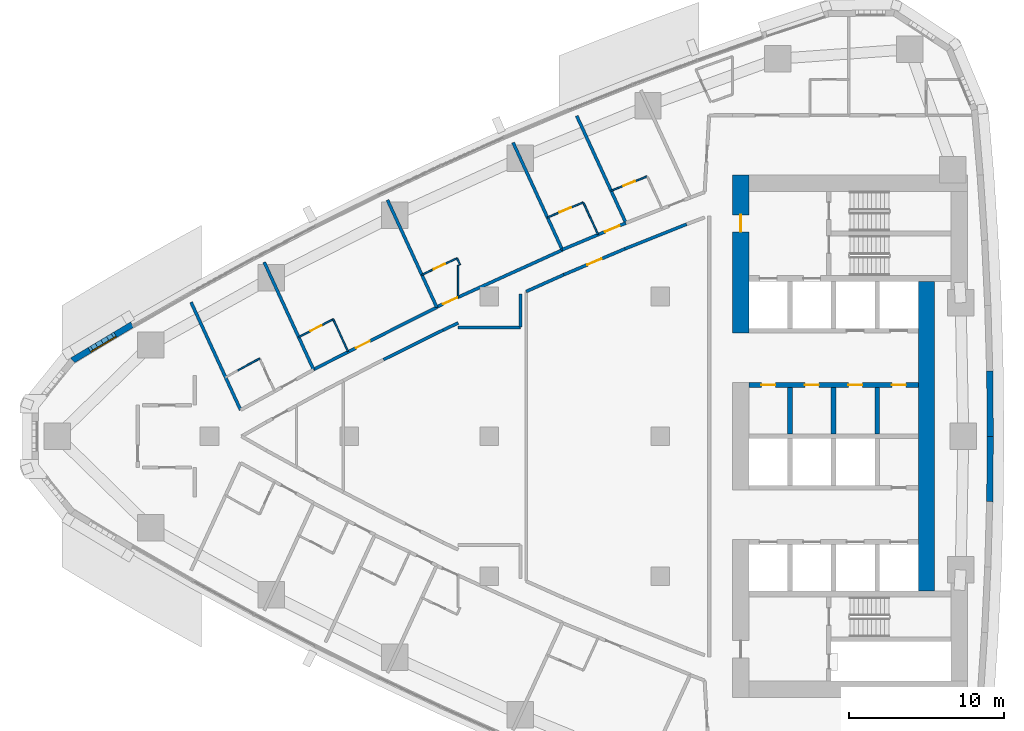
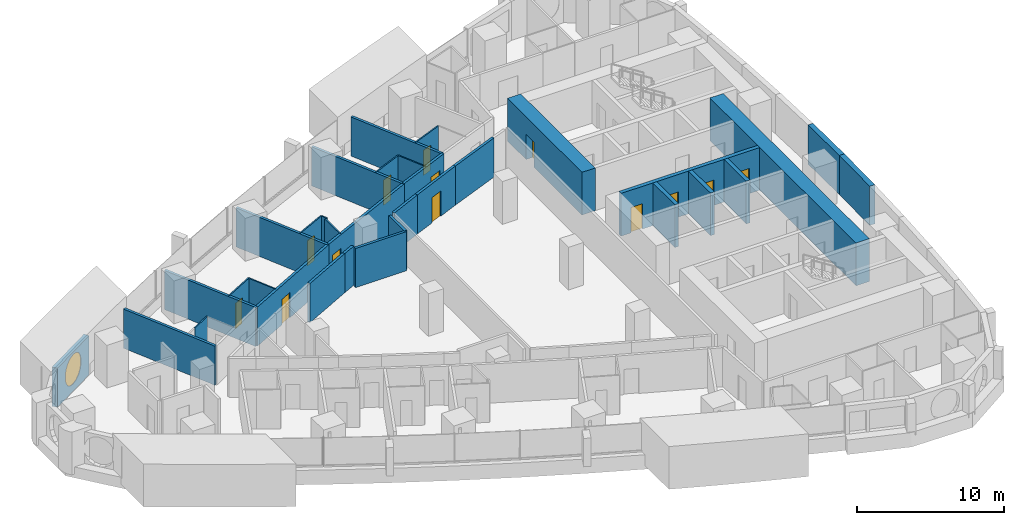
# One storey, part 11 of 17: 33 walls, 13 doors, 1 window, 14 openings.
"""IFC4 building model written with IfcOpenShell, lengths in metres."""

from ifc_helpers import new_model, si_unit, direction, frame, frame_2d, origin, place, context, subcontext, project, spatial, polyline, rectangle, outline, extrude, material, layer, layer_set, type_object, element, fill, save


model = new_model("IFC4")

# Units and contexts
model_context = context("Model", 3, precision=1e-05, world=origin(), true_north=direction((0.0, 1.0)))
body_context = subcontext(model_context, "Body", "Model", "MODEL_VIEW")
ifc_project = project(units=[si_unit("LENGTHUNIT", "METRE"), si_unit("AREAUNIT", "SQUARE_METRE"), si_unit("VOLUMEUNIT", "CUBIC_METRE"), si_unit("PLANEANGLEUNIT", "RADIAN"), si_unit("MASSUNIT", "GRAM", prefix="KILO")], contexts=[model_context])

# Site, building, storey
site_placement = place(None, origin())
site = spatial("IfcSite", under=ifc_project, at=site_placement, CompositionType="ELEMENT")
building_placement = place(site_placement, origin())
building = spatial("IfcBuilding", under=site, at=building_placement, Name="Ostrand Prow Hotel Tower", CompositionType="ELEMENT")
storey_placement = place(building_placement, frame((0.0, 0.0, 95.550048828125)))
storey = spatial("IfcBuildingStorey", under=building, at=storey_placement, Name="L22", CompositionType="ELEMENT", Elevation=95.550048828125)

# Wall, opening, door
ifc_material_1 = material(Name="Concrete C80/95", Category="concrete")
ifc_layer_1 = layer(ifc_material_1, 1.050048828125)
ifc_layer_set_1 = layer_set([ifc_layer_1], Name="Concrete C80/95")
wall_type_1 = type_object("IfcWallType", Name="Core wall 1050 C80/95", PredefinedType="SHEAR", material=ifc_layer_set_1)
wall_1_placement = place(storey_placement, frame((50.175048828125, 6.64990234375, 0.0), z_axis=(0.0, 0.0, 1.0), x_axis=(0.0, 1.0, 0.0)))
wall_1 = element("IfcWall", 1, at=wall_1_placement, inside=storey, type_object=wall_type_1, Name="Core wall CW-W-N", PredefinedType="SHEAR", context=body_context, shape_type="SweptSolid", body=[
    extrude(rectangle(XDim=10.150146484375, YDim=1.050048828125, at=frame_2d((5.0751953125, 0.0))), origin(), (0.0, 0.0, 1.0), 3.550048828125),
])
opening_1_placement = place(wall_1_placement, frame((6.5, 0.0, 0.0)))
opening_1 = element("IfcOpeningElement", 2, at=opening_1_placement, cuts=wall_1, Name="Opening FD1", PredefinedType="OPENING", context=body_context, shape_type="SweptSolid", body=[
    extrude(rectangle(XDim=1.10009765625, YDim=2.10009765625, at=frame_2d((0.550048828125, 1.050048828125))), frame((0.0, 0.534912109375, 0.0), z_axis=(0.0, -1.0, 0.0), x_axis=(1.0, 0.0, 0.0)), (0.0, 0.0, 1.0), 1.070068359375),
])
ifc_material_2 = material(Name="Steel fire door", Category="steel")
door_type_1 = type_object("IfcDoorType", Name="Fire door 1100 EI120", OperationType="SINGLE_SWING_RIGHT", PredefinedType="DOOR", material=ifc_material_2)
door_1_placement = place(opening_1_placement, origin())
door_1 = element("IfcDoor", 3, at=door_1_placement, inside=storey, type_object=door_type_1, Name="FIRE DOOR", OperationType="SINGLE_SWING_RIGHT", OverallHeight=2.10009765625, OverallWidth=1.10009765625, PredefinedType="DOOR", context=body_context, shape_type="SweptSolid", body=[
    extrude(rectangle(XDim=1.10009765625, YDim=2.10009765625, at=frame_2d((0.550048828125, 1.050048828125))), frame((0.0, 0.02490234375, 0.0), z_axis=(0.0, -1.0, 0.0), x_axis=(1.0, 0.0, 0.0)), (0.0, 0.0, 1.0), 0.050048828125),
])
fill(opening_1, door_1)

# Wall
wall_2_placement = place(storey_placement, frame((62.125, -9.949951171875, 0.0), z_axis=(0.0, 0.0, 1.0), x_axis=(0.0, 1.0, 0.0)))
element("IfcWall", 4, at=wall_2_placement, inside=storey, type_object=wall_type_1, Name="Core wall CW-E-C", PredefinedType="SHEAR", context=body_context, shape_type="SweptSolid", body=[
    extrude(rectangle(XDim=19.89990234375, YDim=1.050048828125, at=frame_2d((9.949951171875, 0.0))), origin(), (0.0, 0.0, 1.0), 3.550048828125),
])

# Wall, openings, doors
ifc_material_3 = material(Name="Concrete C80/95", Category="concrete")
ifc_layer_2 = layer(ifc_material_3, 0.300048828125)
ifc_layer_set_2 = layer_set([ifc_layer_2], Name="Concrete C80/95")
wall_type_2 = type_object("IfcWallType", Name="Core wall 300 C80/95", PredefinedType="SHEAR", material=ifc_layer_set_2)
wall_3_placement = place(storey_placement, frame((50.699951171875, 3.300048828125, 0.0), z_axis=(0.0, 0.0, 1.0), x_axis=(1.0, 0.0, 0.0)))
wall_3 = element("IfcWall", 5, at=wall_3_placement, inside=storey, type_object=wall_type_2, Name="Core wall PW-L1-N", PredefinedType="SHEAR", context=body_context, shape_type="SweptSolid", body=[
    extrude(rectangle(XDim=10.900146484375, YDim=0.300048828125, at=frame_2d((5.4501953125, 0.0))), origin(), (0.0, 0.0, 1.0), 3.550048828125),
])
opening_2_placement = place(wall_3_placement, frame((0.800048828125, 0.0, 0.0)))
opening_2 = element("IfcOpeningElement", 6, at=opening_2_placement, cuts=wall_3, Name="Opening FD2", PredefinedType="OPENING", context=body_context, shape_type="SweptSolid", body=[
    extrude(rectangle(XDim=0.89990234375, YDim=2.10009765625, at=frame_2d((0.449951171875, 1.050048828125))), frame((0.0, 0.159912109375, 0.0), z_axis=(0.0, -1.0, 0.0), x_axis=(1.0, 0.0, 0.0)), (0.0, 0.0, 1.0), 0.320068359375),
])
opening_3_placement = place(wall_3_placement, frame((3.60009765625, 0.0, 0.0)))
opening_3 = element("IfcOpeningElement", 7, at=opening_3_placement, cuts=wall_3, Name="Opening FD2", PredefinedType="OPENING", context=body_context, shape_type="SweptSolid", body=[
    extrude(rectangle(XDim=0.89990234375, YDim=2.10009765625, at=frame_2d((0.449951171875, 1.050048828125))), frame((0.0, 0.159912109375, 0.0), z_axis=(0.0, -1.0, 0.0), x_axis=(1.0, 0.0, 0.0)), (0.0, 0.0, 1.0), 0.320068359375),
])
opening_4_placement = place(wall_3_placement, frame((6.39990234375, 0.0, 0.0)))
opening_4 = element("IfcOpeningElement", 8, at=opening_4_placement, cuts=wall_3, Name="Opening FD2", PredefinedType="OPENING", context=body_context, shape_type="SweptSolid", body=[
    extrude(rectangle(XDim=0.89990234375, YDim=2.10009765625, at=frame_2d((0.449951171875, 1.050048828125))), frame((0.0, 0.159912109375, 0.0), z_axis=(0.0, -1.0, 0.0), x_axis=(1.0, 0.0, 0.0)), (0.0, 0.0, 1.0), 0.320068359375),
])
opening_5_placement = place(wall_3_placement, frame((9.199951171875, 0.0, 0.0)))
opening_5 = element("IfcOpeningElement", 9, at=opening_5_placement, cuts=wall_3, Name="Opening FD2", PredefinedType="OPENING", context=body_context, shape_type="SweptSolid", body=[
    extrude(rectangle(XDim=0.89990234375, YDim=2.10009765625, at=frame_2d((0.449951171875, 1.050048828125))), frame((0.0, 0.159912109375, 0.0), z_axis=(0.0, -1.0, 0.0), x_axis=(1.0, 0.0, 0.0)), (0.0, 0.0, 1.0), 0.320068359375),
])
ifc_material_4 = material(Name="Steel fire door", Category="steel")
door_type_2 = type_object("IfcDoorType", Name="Fire door 900 EI120", OperationType="SINGLE_SWING_LEFT", PredefinedType="DOOR", material=ifc_material_4)
door_2_placement = place(opening_2_placement, origin())
door_2 = element("IfcDoor", 10, at=door_2_placement, inside=storey, type_object=door_type_2, Name="DOOR", OperationType="SINGLE_SWING_LEFT", OverallHeight=2.10009765625, OverallWidth=0.89990234375, PredefinedType="DOOR", context=body_context, shape_type="SweptSolid", body=[
    extrude(rectangle(XDim=0.89990234375, YDim=2.10009765625, at=frame_2d((0.449951171875, 1.050048828125))), frame((0.0, 0.02490234375, 0.0), z_axis=(0.0, -1.0, 0.0), x_axis=(1.0, 0.0, 0.0)), (0.0, 0.0, 1.0), 0.050048828125),
])
fill(opening_2, door_2)
door_3_placement = place(opening_3_placement, origin())
door_3 = element("IfcDoor", 11, at=door_3_placement, inside=storey, type_object=door_type_2, Name="DOOR", OperationType="SINGLE_SWING_LEFT", OverallHeight=2.10009765625, OverallWidth=0.89990234375, PredefinedType="DOOR", context=body_context, shape_type="SweptSolid", body=[
    extrude(rectangle(XDim=0.89990234375, YDim=2.10009765625, at=frame_2d((0.449951171875, 1.050048828125))), frame((0.0, 0.02490234375, 0.0), z_axis=(0.0, -1.0, 0.0), x_axis=(1.0, 0.0, 0.0)), (0.0, 0.0, 1.0), 0.050048828125),
])
fill(opening_3, door_3)
door_4_placement = place(opening_4_placement, origin())
door_4 = element("IfcDoor", 12, at=door_4_placement, inside=storey, type_object=door_type_2, Name="DOOR", OperationType="SINGLE_SWING_LEFT", OverallHeight=2.10009765625, OverallWidth=0.89990234375, PredefinedType="DOOR", context=body_context, shape_type="SweptSolid", body=[
    extrude(rectangle(XDim=0.89990234375, YDim=2.10009765625, at=frame_2d((0.449951171875, 1.050048828125))), frame((0.0, 0.02490234375, 0.0), z_axis=(0.0, -1.0, 0.0), x_axis=(1.0, 0.0, 0.0)), (0.0, 0.0, 1.0), 0.050048828125),
])
fill(opening_4, door_4)
door_5_placement = place(opening_5_placement, origin())
door_5 = element("IfcDoor", 13, at=door_5_placement, inside=storey, type_object=door_type_2, Name="DOOR", OperationType="SINGLE_SWING_LEFT", OverallHeight=2.10009765625, OverallWidth=0.89990234375, PredefinedType="DOOR", context=body_context, shape_type="SweptSolid", body=[
    extrude(rectangle(XDim=0.89990234375, YDim=2.10009765625, at=frame_2d((0.449951171875, 1.050048828125))), frame((0.0, 0.02490234375, 0.0), z_axis=(0.0, -1.0, 0.0), x_axis=(1.0, 0.0, 0.0)), (0.0, 0.0, 1.0), 0.050048828125),
])
fill(opening_5, door_5)

# Walls
for number, where, z_axis, x_axis, name in (
    (14, (53.35009765625, 0.14990234375, 0.0), (0.0, 0.0, 1.0), (0.0, 1.0, 0.0), "Core wall PW-R1-NB"),
    (15, (56.14990234375, 0.14990234375, 0.0), (0.0, 0.0, 1.0), (0.0, 1.0, 0.0), "Core wall PW-R2-NB"),
    (16, (58.949951171875, 0.14990234375, 0.0), (0.0, 0.0, 1.0), (0.0, 1.0, 0.0), "Core wall PW-R3-NB"),
):
    element("IfcWall", number, at=place(storey_placement, frame(where, z_axis=z_axis, x_axis=x_axis)), inside=storey, type_object=wall_type_2, Name=name, PredefinedType="SHEAR", context=body_context, shape_type="SweptSolid", body=[
        extrude(rectangle(XDim=3.0, YDim=0.300048828125, at=frame_2d((1.5, 0.0))), origin(), (0.0, 0.0, 1.0), 3.550048828125),
    ])
ifc_material_5 = material(Name="Plasterboard partition")
ifc_layer_3 = layer(ifc_material_5, 0.10009765625)
ifc_layer_set_3 = layer_set([ifc_layer_3], Name="Plasterboard partition")
wall_type_3 = type_object("IfcWallType", Name="Partition 100 bathroom wall", PredefinedType="PARTITIONING", material=ifc_layer_set_3)
wall_4_placement = place(storey_placement, frame((17.80126953125, 4.228515625, 0.0), z_axis=(0.0, 0.0, 1.0), x_axis=(0.877424481957, 0.479714788663, 0.0)))
element("IfcWall", 17, at=wall_4_placement, inside=storey, type_object=wall_type_3, Name="BATHROOM WALL", PredefinedType="PARTITIONING", context=body_context, shape_type="SweptSolid", body=[
    extrude(rectangle(XDim=1.62548828125, YDim=0.10009765625, at=frame_2d((0.812744140625, 0.0))), origin(), (0.0, 0.0, 1.0), 3.25),
])

# Wall, opening, door
wall_5_placement = place(storey_placement, frame((21.737548828125, 6.377197265625, 0.0), z_axis=(0.0, 0.0, 1.0), x_axis=(0.886911586599, 0.461939214135, 0.0)))
wall_5 = element("IfcWall", 18, at=wall_5_placement, inside=storey, type_object=wall_type_3, Name="BATHROOM WALL", PredefinedType="PARTITIONING", context=body_context, shape_type="SweptSolid", body=[
    extrude(rectangle(XDim=2.5029296875, YDim=0.10009765625, at=frame_2d((1.25146484375, 0.0))), origin(), (0.0, 0.0, 1.0), 3.25),
])
opening_6_placement = place(wall_5_placement, frame((0.85009765625, 0.0, 0.0)))
opening_6 = element("IfcOpeningElement", 19, at=opening_6_placement, cuts=wall_5, Name="Opening D2", PredefinedType="OPENING", context=body_context, shape_type="SweptSolid", body=[
    extrude(rectangle(XDim=0.800048828125, YDim=2.10009765625, at=frame_2d((0.39990234375, 1.050048828125))), frame((0.0, 0.06005859375, 0.0), z_axis=(0.0, -1.0, 0.0), x_axis=(1.0, 0.0, 0.0)), (0.0, 0.0, 1.0), 0.1201171875),
])
ifc_material_6 = material(Name="Timber door leaf", Category="wood")
door_type_3 = type_object("IfcDoorType", Name="Bathroom door 800", OperationType="SINGLE_SWING_LEFT", PredefinedType="DOOR", material=ifc_material_6)
door_6_placement = place(opening_6_placement, origin())
door_6 = element("IfcDoor", 20, at=door_6_placement, inside=storey, type_object=door_type_3, Name="DOOR", OperationType="SINGLE_SWING_LEFT", OverallHeight=2.10009765625, OverallWidth=0.800048828125, PredefinedType="DOOR", context=body_context, shape_type="SweptSolid", body=[
    extrude(rectangle(XDim=0.800048828125, YDim=2.10009765625, at=frame_2d((0.39990234375, 1.050048828125))), frame((0.0, 0.02490234375, 0.0), z_axis=(0.0, -1.0, 0.0), x_axis=(1.0, 0.0, 0.0)), (0.0, 0.0, 1.0), 0.050048828125),
])
fill(opening_6, door_6)

# Wall
wall_6_placement = place(storey_placement, frame((23.95751953125, 7.533447265625, 0.0), z_axis=(0.0, 0.0, 1.0), x_axis=(0.417454762401, -0.908697706253, 0.0)))
element("IfcWall", 21, at=wall_6_placement, inside=storey, type_object=wall_type_3, Name="BATHROOM WALL", PredefinedType="PARTITIONING", context=body_context, shape_type="SweptSolid", body=[
    extrude(rectangle(XDim=2.27978515625, YDim=0.10009765625, at=frame_2d((1.139892578125, 0.0))), origin(), (0.0, 0.0, 1.0), 3.25),
])

# Wall, opening, door
wall_7_placement = place(storey_placement, frame((29.662109375, 10.39208984375, 0.0), z_axis=(0.0, 0.0, 1.0), x_axis=(0.904688082375, 0.426074493027, 0.0)))
wall_7 = element("IfcWall", 22, at=wall_7_placement, inside=storey, type_object=wall_type_3, Name="BATHROOM WALL", PredefinedType="PARTITIONING", context=body_context, shape_type="SweptSolid", body=[
    extrude(rectangle(XDim=2.5, YDim=0.10009765625, at=frame_2d((1.25, 0.0))), origin(), (0.0, 0.0, 1.0), 3.25),
])
opening_7_placement = place(wall_7_placement, frame((0.85009765625, 0.0, 0.0)))
opening_7 = element("IfcOpeningElement", 23, at=opening_7_placement, cuts=wall_7, Name="Opening D2", PredefinedType="OPENING", context=body_context, shape_type="SweptSolid", body=[
    extrude(rectangle(XDim=0.800048828125, YDim=2.10009765625, at=frame_2d((0.39990234375, 1.050048828125))), frame((0.0, 0.06005859375, 0.0), z_axis=(0.0, -1.0, 0.0), x_axis=(1.0, 0.0, 0.0)), (0.0, 0.0, 1.0), 0.1201171875),
])
door_7_placement = place(opening_7_placement, origin())
door_7 = element("IfcDoor", 24, at=door_7_placement, inside=storey, type_object=door_type_3, Name="DOOR", OperationType="SINGLE_SWING_LEFT", OverallHeight=2.10009765625, OverallWidth=0.800048828125, PredefinedType="DOOR", context=body_context, shape_type="SweptSolid", body=[
    extrude(rectangle(XDim=0.800048828125, YDim=2.10009765625, at=frame_2d((0.39990234375, 1.050048828125))), frame((0.0, 0.02490234375, 0.0), z_axis=(0.0, -1.0, 0.0), x_axis=(1.0, 0.0, 0.0)), (0.0, 0.0, 1.0), 0.050048828125),
])
fill(opening_7, door_7)

# Wall
wall_8_placement = place(storey_placement, frame((31.923828125, 11.457275390625, 0.0), z_axis=(0.0, 0.0, 1.0), x_axis=(0.4176025781, -0.908629785316, 0.0)))
element("IfcWall", 25, at=wall_8_placement, inside=storey, type_object=wall_type_3, Name="BATHROOM WALL", PredefinedType="PARTITIONING", context=body_context, shape_type="SweptSolid", body=[
    extrude(rectangle(XDim=0.478759765625, YDim=0.10009765625, at=frame_2d((0.2392578125, 0.0))), origin(), (0.0, 0.0, 1.0), 3.25),
])

# Wall, opening, door
wall_9_placement = place(storey_placement, frame((37.743896484375, 14.07958984375, 0.0), z_axis=(0.0, 0.0, 1.0), x_axis=(0.921042675983, 0.38946166566, 0.0)))
wall_9 = element("IfcWall", 26, at=wall_9_placement, inside=storey, type_object=wall_type_3, Name="BATHROOM WALL", PredefinedType="PARTITIONING", context=body_context, shape_type="SweptSolid", body=[
    extrude(rectangle(XDim=2.501220703125, YDim=0.10009765625, at=frame_2d((1.25048828125, 0.0))), origin(), (0.0, 0.0, 1.0), 3.25),
])
opening_8_placement = place(wall_9_placement, frame((0.85009765625, 0.0, 0.0)))
opening_8 = element("IfcOpeningElement", 27, at=opening_8_placement, cuts=wall_9, Name="Opening D2", PredefinedType="OPENING", context=body_context, shape_type="SweptSolid", body=[
    extrude(rectangle(XDim=0.800048828125, YDim=2.10009765625, at=frame_2d((0.39990234375, 1.050048828125))), frame((0.0, 0.06005859375, 0.0), z_axis=(0.0, -1.0, 0.0), x_axis=(1.0, 0.0, 0.0)), (0.0, 0.0, 1.0), 0.1201171875),
])
door_8_placement = place(opening_8_placement, origin())
door_8 = element("IfcDoor", 28, at=door_8_placement, inside=storey, type_object=door_type_3, Name="DOOR", OperationType="SINGLE_SWING_LEFT", OverallHeight=2.10009765625, OverallWidth=0.800048828125, PredefinedType="DOOR", context=body_context, shape_type="SweptSolid", body=[
    extrude(rectangle(XDim=0.800048828125, YDim=2.10009765625, at=frame_2d((0.39990234375, 1.050048828125))), frame((0.0, 0.02490234375, 0.0), z_axis=(0.0, -1.0, 0.0), x_axis=(1.0, 0.0, 0.0)), (0.0, 0.0, 1.0), 0.050048828125),
])
fill(opening_8, door_8)

# Wall
wall_10_placement = place(storey_placement, frame((40.047607421875, 15.0537109375, 0.0), z_axis=(0.0, 0.0, 1.0), x_axis=(0.417433204355, -0.908707609686, 0.0)))
element("IfcWall", 29, at=wall_10_placement, inside=storey, type_object=wall_type_3, Name="BATHROOM WALL", PredefinedType="PARTITIONING", context=body_context, shape_type="SweptSolid", body=[
    extrude(rectangle(XDim=2.278076171875, YDim=0.10009765625, at=frame_2d((1.13916015625, 0.0))), origin(), (0.0, 0.0, 1.0), 3.25),
])

# Wall, opening, door
wall_11_placement = place(storey_placement, frame((41.837890625, 15.798095703125, 0.0), z_axis=(0.0, 0.0, 1.0), x_axis=(0.928638024739, 0.370987087388, 0.0)))
wall_11 = element("IfcWall", 30, at=wall_11_placement, inside=storey, type_object=wall_type_3, Name="BATHROOM WALL", PredefinedType="PARTITIONING", context=body_context, shape_type="SweptSolid", body=[
    extrude(rectangle(XDim=2.50341796875, YDim=0.10009765625, at=frame_2d((1.251708984375, 0.0))), origin(), (0.0, 0.0, 1.0), 3.25),
])
opening_9_placement = place(wall_11_placement, frame((0.85009765625, 0.0, 0.0)))
opening_9 = element("IfcOpeningElement", 31, at=opening_9_placement, cuts=wall_11, Name="Opening D2", PredefinedType="OPENING", context=body_context, shape_type="SweptSolid", body=[
    extrude(rectangle(XDim=0.800048828125, YDim=2.10009765625, at=frame_2d((0.39990234375, 1.050048828125))), frame((0.0, 0.06005859375, 0.0), z_axis=(0.0, -1.0, 0.0), x_axis=(1.0, 0.0, 0.0)), (0.0, 0.0, 1.0), 0.1201171875),
])
door_9_placement = place(opening_9_placement, origin())
door_9 = element("IfcDoor", 32, at=door_9_placement, inside=storey, type_object=door_type_3, Name="DOOR", OperationType="SINGLE_SWING_LEFT", OverallHeight=2.10009765625, OverallWidth=0.800048828125, PredefinedType="DOOR", context=body_context, shape_type="SweptSolid", body=[
    extrude(rectangle(XDim=0.800048828125, YDim=2.10009765625, at=frame_2d((0.39990234375, 1.050048828125))), frame((0.0, 0.02490234375, 0.0), z_axis=(0.0, -1.0, 0.0), x_axis=(1.0, 0.0, 0.0)), (0.0, 0.0, 1.0), 0.050048828125),
])
fill(opening_9, door_9)

# Wall
wall_12_placement = place(storey_placement, frame((31.9951171875, 11.00048828125, 0.0), z_axis=(0.0, 0.0, 1.0), x_axis=(0.0, -1.0, 0.0)))
element("IfcWall", 33, at=wall_12_placement, inside=storey, type_object=wall_type_3, Name="BATHROOM WALL", PredefinedType="PARTITIONING", context=body_context, shape_type="SweptSolid", body=[
    extrude(rectangle(XDim=2.04638671875, YDim=0.10009765625, at=frame_2d((1.023193359375, 0.0))), origin(), (0.0, 0.0, 1.0), 3.25),
])

# Wall, opening, door
ifc_material_7 = material(Name="Plasterboard partition")
ifc_layer_4 = layer(ifc_material_7, 0.199951171875)
ifc_layer_set_4 = layer_set([ifc_layer_4], Name="Plasterboard partition")
wall_type_4 = type_object("IfcWallType", Name="Partition 200 corridor wall", PredefinedType="PARTITIONING", material=ifc_layer_set_4)
wall_13_placement = place(storey_placement, frame((22.6904296875, 4.302490234375, 0.0), z_axis=(0.0, 0.0, 1.0), x_axis=(0.892904919467, 0.450245271815, 0.0)))
wall_13 = element("IfcWall", 34, at=wall_13_placement, inside=storey, type_object=wall_type_4, Name="CORRIDOR WALL", PredefinedType="PARTITIONING", context=body_context, shape_type="SweptSolid", body=[
    extrude(rectangle(XDim=8.883056640625, YDim=0.199951171875, at=frame_2d((4.44140625, 0.0))), origin(), (0.0, 0.0, 1.0), 3.25),
])
opening_10_placement = place(wall_13_placement, frame((3.050048828125, 0.0, 0.0)))
opening_10 = element("IfcOpeningElement", 35, at=opening_10_placement, cuts=wall_13, Name="Opening D1", PredefinedType="OPENING", context=body_context, shape_type="SweptSolid", body=[
    extrude(rectangle(XDim=1.0, YDim=2.10009765625, at=frame_2d((0.5, 1.050048828125))), frame((0.0, 0.10986328125, 0.0), z_axis=(0.0, -1.0, 0.0), x_axis=(1.0, 0.0, 0.0)), (0.0, 0.0, 1.0), 0.219970703125),
])
ifc_material_8 = material(Name="Timber door leaf", Category="wood")
door_type_4 = type_object("IfcDoorType", Name="Guest room door 1000", OperationType="SINGLE_SWING_LEFT", PredefinedType="DOOR", material=ifc_material_8)
door_10_placement = place(opening_10_placement, origin())
door_10 = element("IfcDoor", 36, at=door_10_placement, inside=storey, type_object=door_type_4, Name="DOOR", OperationType="SINGLE_SWING_LEFT", OverallHeight=2.10009765625, OverallWidth=1.0, PredefinedType="DOOR", context=body_context, shape_type="SweptSolid", body=[
    extrude(rectangle(XDim=1.0, YDim=2.10009765625, at=frame_2d((0.5, 1.050048828125))), frame((0.0, 0.02490234375, 0.0), z_axis=(0.0, -1.0, 0.0), x_axis=(1.0, 0.0, 0.0)), (0.0, 0.0, 1.0), 0.050048828125),
])
fill(opening_10, door_10)

wall_14_placement = place(storey_placement, frame((30.61376953125, 8.320068359375, 0.0), z_axis=(0.0, 0.0, 1.0), x_axis=(0.910751030363, 0.41295588226, 0.0)))
wall_14 = element("IfcWall", 37, at=wall_14_placement, inside=storey, type_object=wall_type_4, Name="CORRIDOR WALL", PredefinedType="PARTITIONING", context=body_context, shape_type="SweptSolid", body=[
    extrude(rectangle(XDim=8.88330078125, YDim=0.199951171875, at=frame_2d((4.441650390625, 0.0))), origin(), (0.0, 0.0, 1.0), 3.25),
])
opening_11_placement = place(wall_14_placement, frame((0.449951171875, 0.0, 0.0)))
opening_11 = element("IfcOpeningElement", 38, at=opening_11_placement, cuts=wall_14, Name="Opening D1", PredefinedType="OPENING", context=body_context, shape_type="SweptSolid", body=[
    extrude(rectangle(XDim=1.0, YDim=2.10009765625, at=frame_2d((0.5, 1.050048828125))), frame((0.0, 0.10986328125, 0.0), z_axis=(0.0, -1.0, 0.0), x_axis=(1.0, 0.0, 0.0)), (0.0, 0.0, 1.0), 0.219970703125),
])
door_11_placement = place(opening_11_placement, origin())
door_11 = element("IfcDoor", 39, at=door_11_placement, inside=storey, type_object=door_type_4, Name="DOOR", OperationType="SINGLE_SWING_LEFT", OverallHeight=2.10009765625, OverallWidth=1.0, PredefinedType="DOOR", context=body_context, shape_type="SweptSolid", body=[
    extrude(rectangle(XDim=1.0, YDim=2.10009765625, at=frame_2d((0.5, 1.050048828125))), frame((0.0, 0.02490234375, 0.0), z_axis=(0.0, -1.0, 0.0), x_axis=(1.0, 0.0, 0.0)), (0.0, 0.0, 1.0), 0.050048828125),
])
fill(opening_11, door_11)

wall_15_placement = place(storey_placement, frame((42.791015625, 13.7236328125, 0.0), z_axis=(0.0, 0.0, 1.0), x_axis=(-0.922230433067, -0.386640696675, 0.0)))
wall_15 = element("IfcWall", 40, at=wall_15_placement, inside=storey, type_object=wall_type_4, Name="CORRIDOR WALL", PredefinedType="PARTITIONING", context=body_context, shape_type="SweptSolid", body=[
    extrude(rectangle(XDim=4.440185546875, YDim=0.199951171875, at=frame_2d((2.22021484375, 0.0))), origin(), (0.0, 0.0, 1.0), 3.25),
])
opening_12_placement = place(wall_15_placement, frame((0.449951171875, 0.0, 0.0)))
opening_12 = element("IfcOpeningElement", 41, at=opening_12_placement, cuts=wall_15, Name="Opening D1", PredefinedType="OPENING", context=body_context, shape_type="SweptSolid", body=[
    extrude(rectangle(XDim=1.0, YDim=2.10009765625, at=frame_2d((0.5, 1.050048828125))), frame((0.0, 0.10986328125, 0.0), z_axis=(0.0, -1.0, 0.0), x_axis=(1.0, 0.0, 0.0)), (0.0, 0.0, 1.0), 0.219970703125),
])
door_12_placement = place(opening_12_placement, origin())
door_12 = element("IfcDoor", 42, at=door_12_placement, inside=storey, type_object=door_type_4, Name="DOOR", OperationType="SINGLE_SWING_LEFT", OverallHeight=2.10009765625, OverallWidth=1.0, PredefinedType="DOOR", context=body_context, shape_type="SweptSolid", body=[
    extrude(rectangle(XDim=1.0, YDim=2.10009765625, at=frame_2d((0.5, 1.050048828125))), frame((0.0, 0.02490234375, 0.0), z_axis=(0.0, -1.0, 0.0), x_axis=(1.0, 0.0, 0.0)), (0.0, 0.0, 1.0), 0.050048828125),
])
fill(opening_12, door_12)

# Walls
wall_16_placement = place(storey_placement, frame((31.02490234375, 6.83349609375, 0.0), z_axis=(0.0, 0.0, 1.0), x_axis=(0.904690325494, 0.426069730159, 0.0)))
element("IfcWall", 43, at=wall_16_placement, inside=storey, type_object=wall_type_4, Name="CORRIDOR WALL", PredefinedType="PARTITIONING", context=body_context, shape_type="SweptSolid", body=[
    extrude(rectangle(XDim=1.077880859375, YDim=0.199951171875, at=frame_2d((0.5390625, 0.0))), origin(), (0.0, 0.0, 1.0), 3.25),
])
wall_17_placement = place(storey_placement, frame((27.1962890625, 4.935791015625, 0.0), z_axis=(0.0, 0.0, 1.0), x_axis=(0.895975836328, 0.44410280422, 0.0)))
element("IfcWall", 44, at=wall_17_placement, inside=storey, type_object=wall_type_4, Name="CORRIDOR WALL", PredefinedType="PARTITIONING", context=body_context, shape_type="SweptSolid", body=[
    extrude(rectangle(XDim=4.273193359375, YDim=0.199951171875, at=frame_2d((2.13671875, 0.0))), origin(), (0.0, 0.0, 1.0), 3.25),
])

# Wall, opening, door
wall_18_placement = place(storey_placement, frame((38.7919921875, 10.397216796875, 0.0), z_axis=(0.0, 0.0, 1.0), x_axis=(0.921037415532, 0.389474105929, 0.0)))
wall_18 = element("IfcWall", 45, at=wall_18_placement, inside=storey, type_object=wall_type_4, Name="CORRIDOR WALL", PredefinedType="PARTITIONING", context=body_context, shape_type="SweptSolid", body=[
    extrude(rectangle(XDim=4.273193359375, YDim=0.199951171875, at=frame_2d((2.13671875, 0.0))), origin(), (0.0, 0.0, 1.0), 3.25),
])
opening_13_placement = place(wall_18_placement, frame((1.636474609375, 0.0, 0.0)))
opening_13 = element("IfcOpeningElement", 46, at=opening_13_placement, cuts=wall_18, Name="Opening D1", PredefinedType="OPENING", context=body_context, shape_type="SweptSolid", body=[
    extrude(rectangle(XDim=1.0, YDim=2.10009765625, at=frame_2d((0.5, 1.050048828125))), frame((0.0, 0.10986328125, 0.0), z_axis=(0.0, -1.0, 0.0), x_axis=(1.0, 0.0, 0.0)), (0.0, 0.0, 1.0), 0.219970703125),
])
door_13_placement = place(opening_13_placement, origin())
door_13 = element("IfcDoor", 47, at=door_13_placement, inside=storey, type_object=door_type_4, Name="DOOR", OperationType="SINGLE_SWING_LEFT", OverallHeight=2.10009765625, OverallWidth=1.0, PredefinedType="DOOR", context=body_context, shape_type="SweptSolid", body=[
    extrude(rectangle(XDim=1.0, YDim=2.10009765625, at=frame_2d((0.5, 1.050048828125))), frame((0.0, 0.02490234375, 0.0), z_axis=(0.0, -1.0, 0.0), x_axis=(1.0, 0.0, 0.0)), (0.0, 0.0, 1.0), 0.050048828125),
])
fill(opening_13, door_13)

# Walls
wall_19_placement = place(storey_placement, frame((42.727783203125, 12.0615234375, 0.0), z_axis=(0.0, 0.0, 1.0), x_axis=(0.928638161177, 0.370986745864, 0.0)))
element("IfcWall", 48, at=wall_19_placement, inside=storey, type_object=wall_type_4, Name="CORRIDOR WALL", PredefinedType="PARTITIONING", context=body_context, shape_type="SweptSolid", body=[
    extrude(rectangle(XDim=4.27294921875, YDim=0.199951171875, at=frame_2d((2.136474609375, 0.0))), origin(), (0.0, 0.0, 1.0), 3.25),
])
wall_20_placement = place(storey_placement, frame((36.373779296875, 9.31689453125, 0.0), z_axis=(0.0, 0.0, 1.0), x_axis=(0.913030623494, 0.407891015544, 0.0)))
element("IfcWall", 49, at=wall_20_placement, inside=storey, type_object=wall_type_4, Name="CORRIDOR WALL", PredefinedType="PARTITIONING", context=body_context, shape_type="SweptSolid", body=[
    extrude(rectangle(XDim=2.6484375, YDim=0.199951171875, at=frame_2d((1.32421875, 0.0))), origin(), (0.0, 0.0, 1.0), 3.25),
])
wall_21_placement = place(storey_placement, frame((31.99951171875, 6.9951171875, 0.0), z_axis=(0.0, 0.0, 1.0), x_axis=(0.99999999256, 0.00012198097, 0.0)))
element("IfcWall", 50, at=wall_21_placement, inside=storey, type_object=wall_type_4, Name="CORRIDOR WALL", PredefinedType="PARTITIONING", context=body_context, shape_type="SweptSolid", body=[
    extrude(rectangle(XDim=4.0029296875, YDim=0.199951171875, at=frame_2d((2.00146484375, 0.0))), origin(), (0.0, 0.0, 1.0), 3.25),
])
wall_22_placement = place(storey_placement, frame((36.00244140625, 7.03564453125, 0.0), z_axis=(0.0, 0.0, 1.0), x_axis=(0.001156603436, 0.999999331134, 0.0)))
element("IfcWall", 51, at=wall_22_placement, inside=storey, type_object=wall_type_4, Name="CORRIDOR WALL", PredefinedType="PARTITIONING", context=body_context, shape_type="SweptSolid", body=[
    extrude(rectangle(XDim=2.11083984375, YDim=0.199951171875, at=frame_2d((1.055419921875, 0.0))), origin(), (0.0, 0.0, 1.0), 3.25),
])
ifc_material_9 = material(Name="Plasterboard partition")
ifc_layer_5 = layer(ifc_material_9, 0.199951171875)
ifc_layer_set_5 = layer_set([ifc_layer_5], Name="Plasterboard partition")
wall_type_5 = type_object("IfcWallType", Name="Partition 200 key partition", PredefinedType="PARTITIONING", material=ifc_layer_set_5)
wall_23_placement = place(storey_placement, frame((14.814697265625, 8.625732421875, 0.0), z_axis=(0.0, 0.0, 1.0), x_axis=(0.417432341259, -0.908708006166, 0.0)))
element("IfcWall", 52, at=wall_23_placement, inside=storey, type_object=wall_type_5, Name="KEY PARTITION", PredefinedType="PARTITIONING", context=body_context, shape_type="SweptSolid", body=[
    extrude(rectangle(XDim=7.630615234375, YDim=0.199951171875, at=frame_2d((3.8154296875, 0.0))), origin(), (0.0, 0.0, 1.0), 3.25),
])
wall_24_placement = place(storey_placement, frame((22.69873046875, 4.284423828125, 0.0), z_axis=(0.0, 0.0, 1.0), x_axis=(-0.417413534969, 0.908716644959, 0.0)))
element("IfcWall", 53, at=wall_24_placement, inside=storey, type_object=wall_type_5, Name="KEY PARTITION", PredefinedType="PARTITIONING", context=body_context, shape_type="SweptSolid", body=[
    extrude(rectangle(XDim=7.609375, YDim=0.199951171875, at=frame_2d((3.8046875, 0.0))), origin(), (0.0, 0.0, 1.0), 3.25),
])
wall_25_placement = place(storey_placement, frame((30.6220703125, 8.302001953125, 0.0), z_axis=(0.0, 0.0, 1.0), x_axis=(-0.417429919618, 0.90870911859, 0.0)))
element("IfcWall", 54, at=wall_25_placement, inside=storey, type_object=wall_type_5, Name="KEY PARTITION", PredefinedType="PARTITIONING", context=body_context, shape_type="SweptSolid", body=[
    extrude(rectangle(XDim=7.600341796875, YDim=0.199951171875, at=frame_2d((3.80029296875, 0.0))), origin(), (0.0, 0.0, 1.0), 3.25),
])
wall_26_placement = place(storey_placement, frame((38.704345703125, 11.988525390625, 0.0), z_axis=(0.0, 0.0, 1.0), x_axis=(-0.417416334044, 0.908715359215, 0.0)))
element("IfcWall", 55, at=wall_26_placement, inside=storey, type_object=wall_type_5, Name="KEY PARTITION", PredefinedType="PARTITIONING", context=body_context, shape_type="SweptSolid", body=[
    extrude(rectangle(XDim=7.603515625, YDim=0.199951171875, at=frame_2d((3.8017578125, 0.0))), origin(), (0.0, 0.0, 1.0), 3.25),
])
wall_27_placement = place(storey_placement, frame((42.79931640625, 13.705322265625, 0.0), z_axis=(0.0, 0.0, 1.0), x_axis=(-0.417427858403, 0.908710065438, 0.0)))
element("IfcWall", 56, at=wall_27_placement, inside=storey, type_object=wall_type_5, Name="KEY PARTITION", PredefinedType="PARTITIONING", context=body_context, shape_type="SweptSolid", body=[
    extrude(rectangle(XDim=7.609619140625, YDim=0.199951171875, at=frame_2d((3.8046875, 0.0))), origin(), (0.0, 0.0, 1.0), 3.25),
])

# Wall, opening, window
ifc_material_10 = material(Name="Precast concrete C40/50", Category="concrete")
ifc_layer_6 = layer(ifc_material_10, 0.39990234375)
ifc_layer_set_6 = layer_set([ifc_layer_6], Name="Precast concrete C40/50")
wall_type_6 = type_object("IfcWallType", Name="Stone-faced precast wall 400 mm", PredefinedType="NOTDEFINED", material=ifc_layer_set_6)
wall_28_placement = place(storey_placement, frame((11.02587890625, 7.18603515625, 0.0), z_axis=(0.0, 0.0, 1.0), x_axis=(-0.857550776474, -0.514399325202, 0.0)))
wall_28 = element("IfcWall", 57, at=wall_28_placement, inside=storey, type_object=wall_type_6, Name="Stone-faced wall prow 1", PredefinedType="NOTDEFINED", context=body_context, shape_type="SweptSolid", body=[
    extrude(outline(polyline([(0.0, -0.199951171875), (4.50341796875, -0.199951171875), (4.4326171875, 0.199951171875), (0.0, 0.199951171875), (0.0, -0.199951171875)])), origin(), (0.0, 0.0, 1.0), 3.25),
])
opening_14_placement = place(wall_28_placement, frame((1.134033203125, 0.0, 0.60009765625)))
opening_14 = element("IfcOpeningElement", 58, at=opening_14_placement, cuts=wall_28, Name="Opening WP1", PredefinedType="OPENING", context=body_context, shape_type="SweptSolid", body=[
    extrude(outline(polyline([(0.0, 1.35009765625), (0.083740234375, 1.77099609375), (0.322265625, 2.127685546875), (0.678955078125, 2.3662109375), (1.10009765625, 2.449951171875), (1.52099609375, 2.3662109375), (1.877685546875, 2.127685546875), (2.1162109375, 1.77099609375), (2.199951171875, 1.35009765625), (2.199951171875, 1.10009765625), (2.1162109375, 0.678955078125), (1.877685546875, 0.322265625), (1.52099609375, 0.083740234375), (1.10009765625, 0.0), (0.678955078125, 0.083740234375), (0.322265625, 0.322265625), (0.083740234375, 0.678955078125), (0.0, 1.099853515625), (0.0, 1.35009765625)])), frame((0.0, 0.2099609375, 0.0), z_axis=(0.0, -1.0, 0.0), x_axis=(1.0, 0.0, 0.0)), (0.0, 0.0, 1.0), 0.419921875),
])
ifc_material_11 = material(Name="Insulated glass in bronze frame", Category="glass")
window_type = type_object("IfcWindowType", Name="Round-ended prow window 2200x2450", PartitioningType="SINGLE_PANEL", PredefinedType="WINDOW", material=ifc_material_11)
window_placement = place(opening_14_placement, origin())
window = element("IfcWindow", 59, at=window_placement, inside=storey, type_object=window_type, Name="Window prow 1.1", OverallHeight=2.449951171875, OverallWidth=2.199951171875, PartitioningType="SINGLE_PANEL", PredefinedType="WINDOW", context=body_context, shape_type="SweptSolid", body=[
    extrude(outline(polyline([(0.0, 1.35009765625), (0.083740234375, 1.77099609375), (0.322265625, 2.127685546875), (0.678955078125, 2.3662109375), (1.10009765625, 2.449951171875), (1.52099609375, 2.3662109375), (1.877685546875, 2.127685546875), (2.1162109375, 1.77099609375), (2.199951171875, 1.35009765625), (2.199951171875, 1.10009765625), (2.1162109375, 0.678955078125), (1.877685546875, 0.322265625), (1.52099609375, 0.083740234375), (1.10009765625, 0.0), (0.678955078125, 0.083740234375), (0.322265625, 0.322265625), (0.083740234375, 0.678955078125), (0.0, 1.099853515625), (0.0, 1.35009765625)])), frame((0.0, 0.169921875, 0.0), z_axis=(0.0, -1.0, 0.0), x_axis=(1.0, 0.0, 0.0)), (0.0, 0.0, 1.0), 0.06005859375),
])
fill(opening_14, window)

# Walls
for number, where, z_axis, x_axis, name in (
    (60, (66.193603515625, -4.20654296875, 0.0), (0.0, 0.0, 1.0), (0.00969194175, 0.99995303203, 0.0), "Stone-faced wall back 9"),
    (61, (66.234375, 0.0, 0.0), (0.0, 0.0, 1.0), (-0.00969194175, 0.99995303203, 0.0), "Stone-faced wall back 10"),
):
    element("IfcWall", number, at=place(storey_placement, frame(where, z_axis=z_axis, x_axis=x_axis)), inside=storey, type_object=wall_type_6, Name=name, PredefinedType="NOTDEFINED", context=body_context, shape_type="SweptSolid", body=[
        extrude(outline(polyline([(-0.001953125, -0.199951171875), (4.208740234375, -0.199951171875), (4.204833984375, 0.199951171875), (0.001953125, 0.199951171875), (-0.001953125, -0.199951171875)])), origin(), (0.0, 0.0, 1.0), 3.25),
    ])

save(model, "model.ifc")
